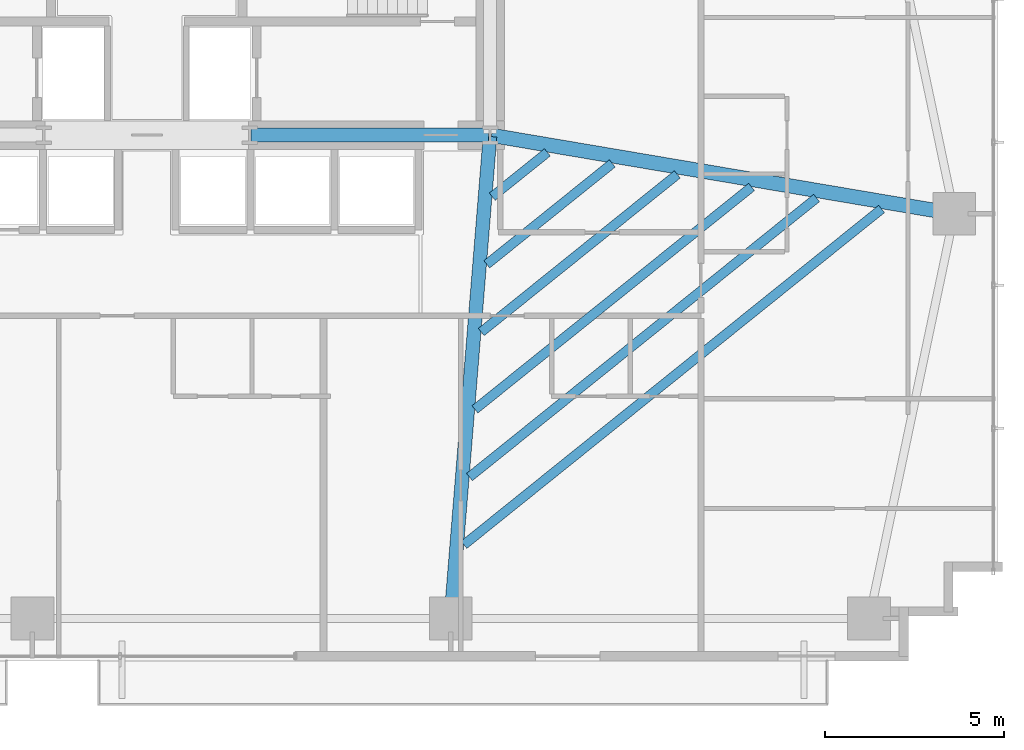
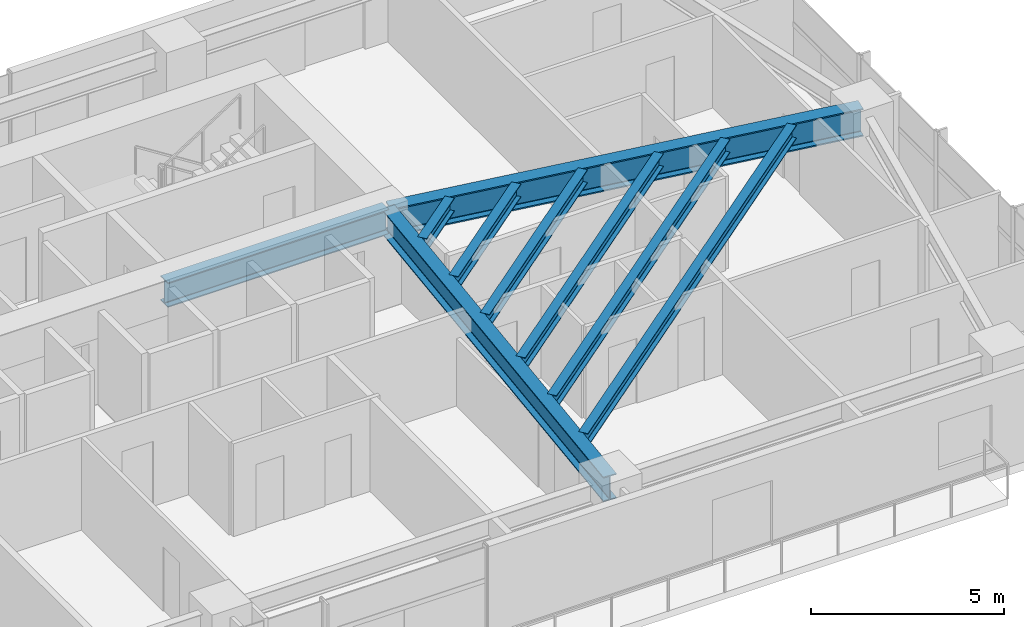
# One storey, part 13 of 25: 9 beams.
"""IFC4 building model written with IfcOpenShell, lengths in metres."""

from ifc_helpers import new_model, si_unit, direction, frame, origin, origin_2d, place, context, subcontext, project, spatial, i_section, extrude, source, transform, mapped, material, material_profile, profile_set, type_object, type_shapes, element, save


model = new_model("IFC4")

# Units and contexts
model_context = context("Model", 3, precision=1e-05, world=origin(), true_north=direction((0.0, 1.0)))
body_context = subcontext(model_context, "Body", "Model", "MODEL_VIEW")
ifc_project = project(units=[si_unit("LENGTHUNIT", "METRE"), si_unit("AREAUNIT", "SQUARE_METRE"), si_unit("VOLUMEUNIT", "CUBIC_METRE"), si_unit("PLANEANGLEUNIT", "RADIAN"), si_unit("MASSUNIT", "GRAM", prefix="KILO")], contexts=[model_context])

# Site, building, storey
site_placement = place(None, origin())
site = spatial("IfcSite", under=ifc_project, at=site_placement, CompositionType="ELEMENT")
building_placement = place(site_placement, origin())
building = spatial("IfcBuilding", under=site, at=building_placement, Name="Astriad Promenade Condominiums", CompositionType="ELEMENT")
storey_placement = place(building_placement, frame((0.0, 0.0, 58.199951171875)))
storey = spatial("IfcBuildingStorey", under=building, at=storey_placement, Name="L16", CompositionType="ELEMENT", Elevation=58.199951171875)

# Beams
ifc_material = material(Name="Steel ASTM A992 Grade 50", Category="steel")
ifc_material_profile_1 = material_profile(ifc_material, i_section(OverallWidth=0.3837890625, OverallDepth=0.785888671875, WebThickness=0.019775390625, FlangeThickness=0.033447265625, FilletRadius=0.021484375, at=origin_2d()), Name="W30X211")
ifc_profile_set_1 = profile_set([ifc_material_profile_1], Name="Steel ASTM A992 Grade 50")
beam_type_1 = type_object("IfcBeamType", Name="STEEL FLOOR GIRDER W30X211", PredefinedType="BEAM", material=ifc_profile_set_1)
shared_shape_1 = source(origin(), body_context, "Body", "SweptSolid", [
    extrude(i_section(OverallWidth=0.3837890625, OverallDepth=0.785888671875, WebThickness=0.019775390625, FlangeThickness=0.033447265625, FilletRadius=0.021484375, at=origin_2d()), origin(), (0.0, 0.0, 1.0), 6.64013671875),
])
beam_1_placement = place(storey_placement, frame((38.919921875, 17.39990234375, 2.547119140625), z_axis=(1.0, 0.0, 0.0), x_axis=(0.0, 1.0, 0.0)))
element("IfcBeam", 1, at=beam_1_placement, inside=storey, type_object=beam_type_1, Name="Core Ring Beam CG-S3-L16", PredefinedType="BEAM", context=body_context, shape_type="MappedRepresentation", body=[
    mapped(shared_shape_1, transform((0.0, 0.0, 0.0), scale=1.0)),
])
shared_shape_2 = source(origin(), body_context, "Body", "SweptSolid", [
    extrude(i_section(OverallWidth=0.3837890625, OverallDepth=0.785888671875, WebThickness=0.019775390625, FlangeThickness=0.033447265625, FilletRadius=0.021484375, at=origin_2d()), origin(), (0.0, 0.0, 1.0), 13.484619140625),
])
type_shapes(beam_type_1, [shared_shape_1, shared_shape_2])
beam_2_placement = place(storey_placement, frame((44.503173828125, 3.919921875, 2.547119140625), z_axis=(0.081092961134, 0.996706542396, 0.0), x_axis=(-0.996706542396, 0.081092961134, 0.0)))
element("IfcBeam", 2, at=beam_2_placement, inside=storey, type_object=beam_type_1, Name="Primary Floor Girder PG-E2-L16", PredefinedType="BEAM", context=body_context, shape_type="MappedRepresentation", body=[
    mapped(shared_shape_2, transform((0.0, 0.0, 0.0), scale=1.0)),
])
ifc_material_profile_2 = material_profile(ifc_material, i_section(OverallWidth=0.4013671875, OverallDepth=0.877197265625, WebThickness=0.022216796875, FlangeThickness=0.039794921875, FilletRadius=0.02294921875, at=origin_2d()), Name="W33X263")
ifc_profile_set_2 = profile_set([ifc_material_profile_2], Name="Steel ASTM A992 Grade 50")
beam_type_2 = type_object("IfcBeamType", Name="STEEL PRIMARY GIRDER W33X263", PredefinedType="BEAM", material=ifc_profile_set_2)
shared_shape_3 = source(origin(), body_context, "Body", "SweptSolid", [
    extrude(i_section(OverallWidth=0.4013671875, OverallDepth=0.877197265625, WebThickness=0.022216796875, FlangeThickness=0.039794921875, FilletRadius=0.02294921875, at=origin_2d()), origin(), (0.0, 0.0, 1.0), 13.085205078125),
])
type_shapes(beam_type_2, [shared_shape_3])
beam_3_placement = place(storey_placement, frame((58.54052734375, 15.206787109375, 2.50146484375), z_axis=(-0.985939912267, 0.167100237577, 0.0), x_axis=(-0.167100237577, -0.985939912267, 0.0)))
element("IfcBeam", 3, at=beam_3_placement, inside=storey, type_object=beam_type_2, Name="Primary Floor Girder PG-EM-L16", PredefinedType="BEAM", context=body_context, shape_type="MappedRepresentation", body=[
    mapped(shared_shape_3, transform((0.0, 0.0, 0.0), scale=1.0)),
])
ifc_material_profile_3 = material_profile(ifc_material, i_section(OverallWidth=0.26318359375, OverallDepth=0.425537109375, WebThickness=0.01318359375, FlangeThickness=0.022216796875, FilletRadius=0.013916015625, at=origin_2d()), Name="W16X89")
ifc_profile_set_3 = profile_set([ifc_material_profile_3], Name="Steel ASTM A992 Grade 50")
beam_type_3 = type_object("IfcBeamType", Name="STEEL FLOOR JOIST W16X89", PredefinedType="JOIST", material=ifc_profile_set_3)
shared_shape_4 = source(origin(), body_context, "Body", "SweptSolid", [
    extrude(i_section(OverallWidth=0.26318359375, OverallDepth=0.425537109375, WebThickness=0.01318359375, FlangeThickness=0.022216796875, FilletRadius=0.013916015625, at=origin_2d()), origin(), (0.0, 0.0, 1.0), 14.984375),
])
beam_4_placement = place(storey_placement, frame((44.867919921875, 5.944580078125, 2.727294921875), z_axis=(0.77934368876, 0.626596692291, 0.0), x_axis=(-0.626596692291, 0.77934368876, 0.0)))
element("IfcBeam", 4, at=beam_4_placement, inside=storey, type_object=beam_type_3, Name="Secondary Composite Floor Joist JE1-1-L16", PredefinedType="JOIST", context=body_context, shape_type="MappedRepresentation", body=[
    mapped(shared_shape_4, transform((0.0, 0.0, 0.0), scale=1.0)),
])
shared_shape_5 = source(origin(), body_context, "Body", "SweptSolid", [
    extrude(i_section(OverallWidth=0.26318359375, OverallDepth=0.425537109375, WebThickness=0.01318359375, FlangeThickness=0.022216796875, FilletRadius=0.013916015625, at=origin_2d()), origin(), (0.0, 0.0, 1.0), 12.455078125),
])
beam_5_placement = place(storey_placement, frame((45.021728515625, 7.83740234375, 2.727294921875), z_axis=(0.77935577594, 0.626581658292, 0.0), x_axis=(-0.626581658292, 0.77935577594, 0.0)))
element("IfcBeam", 5, at=beam_5_placement, inside=storey, type_object=beam_type_3, Name="Secondary Composite Floor Joist JE1-2-L16", PredefinedType="JOIST", context=body_context, shape_type="MappedRepresentation", body=[
    mapped(shared_shape_5, transform((0.0, 0.0, 0.0), scale=1.0)),
])
shared_shape_6 = source(origin(), body_context, "Body", "SweptSolid", [
    extrude(i_section(OverallWidth=0.26318359375, OverallDepth=0.425537109375, WebThickness=0.01318359375, FlangeThickness=0.022216796875, FilletRadius=0.013916015625, at=origin_2d()), origin(), (0.0, 0.0, 1.0), 9.926025390625),
])
beam_6_placement = place(storey_placement, frame((45.17578125, 9.730224609375, 2.727294921875), z_axis=(0.779352355084, 0.626585913203, 0.0), x_axis=(-0.626585913203, 0.779352355084, 0.0)))
element("IfcBeam", 6, at=beam_6_placement, inside=storey, type_object=beam_type_3, Name="Secondary Composite Floor Joist JE1-3-L16", PredefinedType="JOIST", context=body_context, shape_type="MappedRepresentation", body=[
    mapped(shared_shape_6, transform((0.0, 0.0, 0.0), scale=1.0)),
])
shared_shape_7 = source(origin(), body_context, "Body", "SweptSolid", [
    extrude(i_section(OverallWidth=0.26318359375, OverallDepth=0.425537109375, WebThickness=0.01318359375, FlangeThickness=0.022216796875, FilletRadius=0.013916015625, at=origin_2d()), origin(), (0.0, 0.0, 1.0), 7.03515625),
])
beam_7_placement = place(storey_placement, frame((45.351806640625, 11.8935546875, 2.727294921875), z_axis=(0.779349752639, 0.626589150131, 0.0), x_axis=(-0.626589150131, 0.779349752639, 0.0)))
element("IfcBeam", 7, at=beam_7_placement, inside=storey, type_object=beam_type_3, Name="Secondary Composite Floor Joist JE1-4-L16", PredefinedType="JOIST", context=body_context, shape_type="MappedRepresentation", body=[
    mapped(shared_shape_7, transform((0.0, 0.0, 0.0), scale=1.0)),
])
shared_shape_8 = source(origin(), body_context, "Body", "SweptSolid", [
    extrude(i_section(OverallWidth=0.26318359375, OverallDepth=0.425537109375, WebThickness=0.01318359375, FlangeThickness=0.022216796875, FilletRadius=0.013916015625, at=origin_2d()), origin(), (0.0, 0.0, 1.0), 4.505859375),
])
beam_8_placement = place(storey_placement, frame((45.505859375, 13.786376953125, 2.727294921875), z_axis=(0.779365294733, 0.626569818429, 0.0), x_axis=(-0.626569818429, 0.779365294733, 0.0)))
element("IfcBeam", 8, at=beam_8_placement, inside=storey, type_object=beam_type_3, Name="Secondary Composite Floor Joist JE1-5-L16", PredefinedType="JOIST", context=body_context, shape_type="MappedRepresentation", body=[
    mapped(shared_shape_8, transform((0.0, 0.0, 0.0), scale=1.0)),
])
shared_shape_9 = source(origin(), body_context, "Body", "SweptSolid", [
    extrude(i_section(OverallWidth=0.26318359375, OverallDepth=0.425537109375, WebThickness=0.01318359375, FlangeThickness=0.022216796875, FilletRadius=0.013916015625, at=origin_2d()), origin(), (0.0, 0.0, 1.0), 1.9765625),
])
type_shapes(beam_type_3, [shared_shape_4, shared_shape_5, shared_shape_6, shared_shape_7, shared_shape_8, shared_shape_9])
beam_9_placement = place(storey_placement, frame((45.659912109375, 15.67919921875, 2.727294921875), z_axis=(0.77936029648, 0.626576035506, 0.0), x_axis=(-0.626576035506, 0.77936029648, 0.0)))
element("IfcBeam", 9, at=beam_9_placement, inside=storey, type_object=beam_type_3, Name="Secondary Composite Floor Joist JE1-6-L16", PredefinedType="JOIST", context=body_context, shape_type="MappedRepresentation", body=[
    mapped(shared_shape_9, transform((0.0, 0.0, 0.0), scale=1.0)),
])

save(model, "model.ifc")
